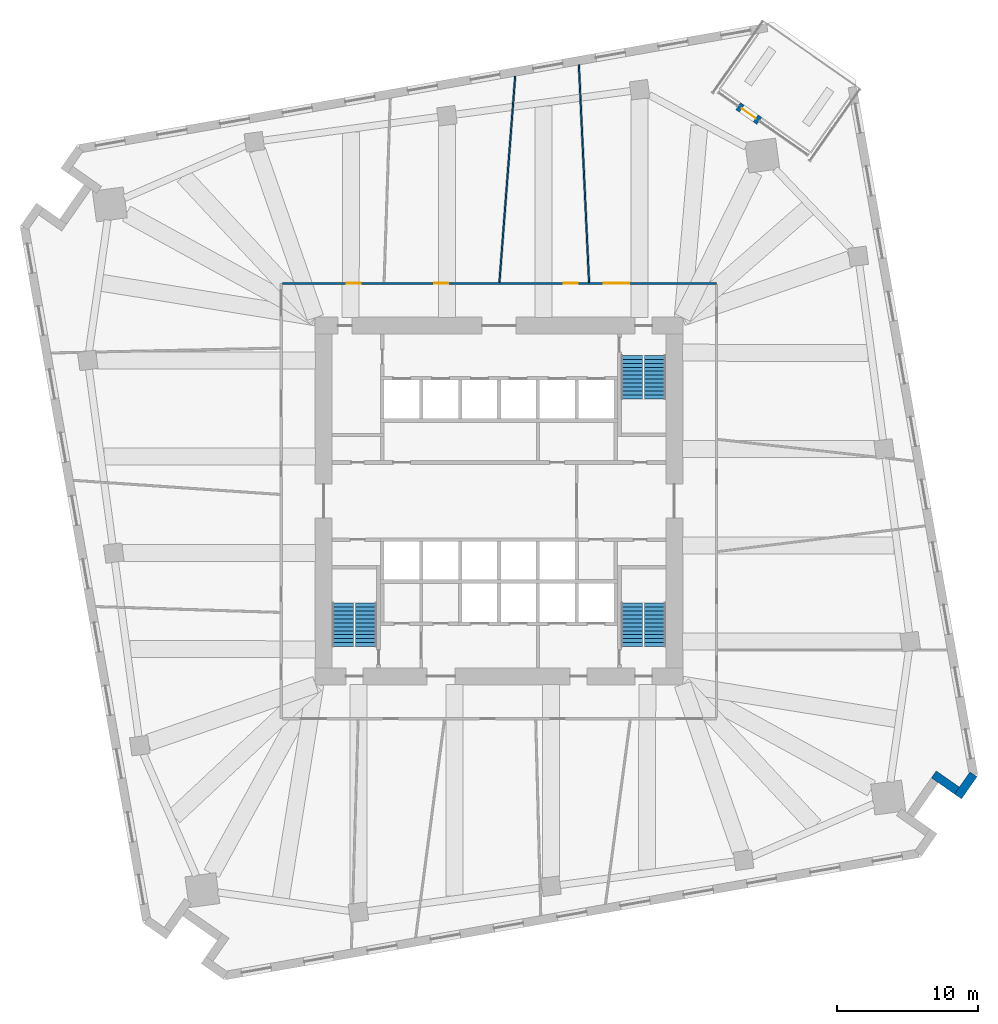
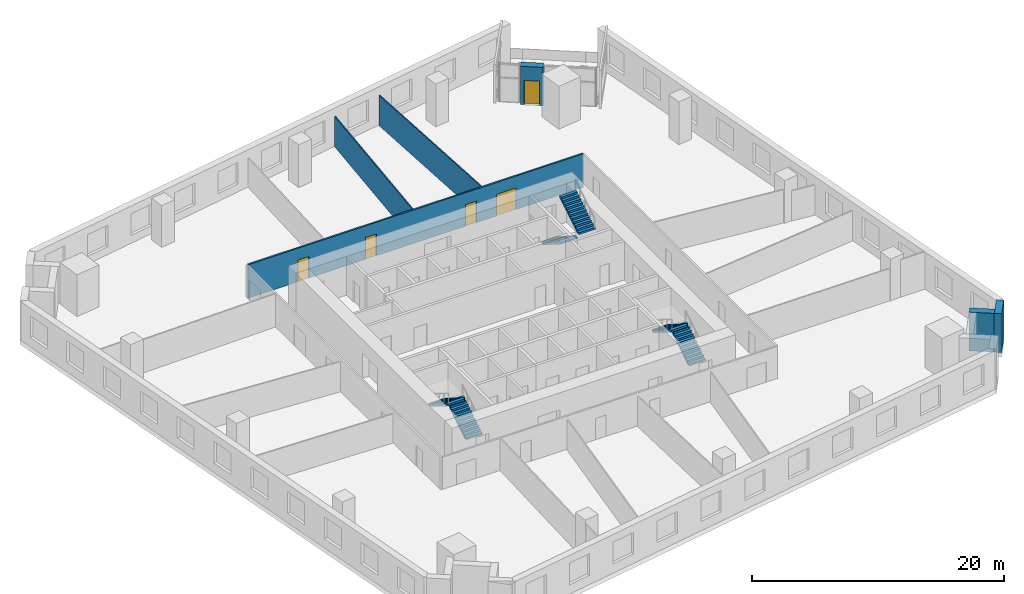
# One storey, part 8 of 10: 6 stair flights, 6 walls, 5 doors, 5 openings, 3 elements without a shape of their own.
"""IFC4 building model written with IfcOpenShell, lengths in metres."""

from ifc_helpers import new_model, si_unit, direction, frame, frame_2d, origin, place, context, subcontext, project, spatial, polyline, rectangle, outline, extrude, material, layer, layer_set, type_object, element, fill, aggregate, save


model = new_model("IFC4")

# Units and contexts
model_context = context("Model", 3, precision=1e-05, world=origin(), true_north=direction((0.0, 1.0)))
body_context = subcontext(model_context, "Body", "Model", "MODEL_VIEW")
ifc_project = project(units=[si_unit("LENGTHUNIT", "METRE"), si_unit("AREAUNIT", "SQUARE_METRE"), si_unit("VOLUMEUNIT", "CUBIC_METRE"), si_unit("PLANEANGLEUNIT", "RADIAN"), si_unit("MASSUNIT", "GRAM", prefix="KILO")], contexts=[model_context])

# Site, building, storey
site_placement = place(None, origin())
site = spatial("IfcSite", under=ifc_project, at=site_placement, CompositionType="ELEMENT")
building_placement = place(site_placement, origin())
building = spatial("IfcBuilding", under=site, at=building_placement, Name="Dilmun Exchange Tower", CompositionType="ELEMENT")
storey_placement = place(building_placement, frame((0.0, 0.0, 63.89990234375)))
storey = spatial("IfcBuildingStorey", under=building, at=storey_placement, Name="L14", CompositionType="ELEMENT", Elevation=63.89990234375)

# Wall, openings, doors
ifc_material_1 = material(Name="Corridor wall 150")
ifc_layer_1 = layer(ifc_material_1, 0.14990234375)
ifc_layer_set_1 = layer_set([ifc_layer_1], Name="Corridor wall 150")
wall_type_1 = type_object("IfcWallType", Name="Corridor wall 150", PredefinedType="PARTITIONING", material=ifc_layer_set_1)
wall_1_placement = place(storey_placement, frame((-15.324951171875, 15.39990234375, 0.0), z_axis=(0.0, 0.0, 1.0), x_axis=(1.0, 0.0, 0.0)))
wall_1 = element("IfcWall", 1, at=wall_1_placement, inside=storey, type_object=wall_type_1, Name="Corridor wall", PredefinedType="PARTITIONING", context=body_context, shape_type="SweptSolid", body=[
    extrude(rectangle(XDim=30.724853515625, YDim=0.14990234375, at=frame_2d((15.3623046875, 0.0))), origin(), (0.0, 0.0, 1.0), 3.25),
])
opening_1_placement = place(wall_1_placement, frame((4.550048828125, 0.0, 0.0)))
opening_1 = element("IfcOpeningElement", 2, at=opening_1_placement, cuts=wall_1, Name="Opening TF13-D05", PredefinedType="OPENING", context=body_context, shape_type="SweptSolid", body=[
    extrude(rectangle(XDim=1.0, YDim=2.10009765625, at=frame_2d((0.5, 1.050048828125))), frame((0.0, 0.0849609375, 0.0), z_axis=(0.0, -1.0, 0.0), x_axis=(1.0, 0.0, 0.0)), (0.0, 0.0, 1.0), 0.169921875),
])
opening_2_placement = place(wall_1_placement, frame((10.743896484375, 0.0, 0.0)))
opening_2 = element("IfcOpeningElement", 3, at=opening_2_placement, cuts=wall_1, Name="Opening TF13-D09", PredefinedType="OPENING", context=body_context, shape_type="SweptSolid", body=[
    extrude(rectangle(XDim=1.0, YDim=2.10009765625, at=frame_2d((0.5, 1.050048828125))), frame((0.0, 0.0849609375, 0.0), z_axis=(0.0, -1.0, 0.0), x_axis=(1.0, 0.0, 0.0)), (0.0, 0.0, 1.0), 0.169921875),
])
opening_3_placement = place(wall_1_placement, frame((19.89990234375, 0.0, 0.0)))
opening_3 = element("IfcOpeningElement", 4, at=opening_3_placement, cuts=wall_1, Name="Opening TF13-D11", PredefinedType="OPENING", context=body_context, shape_type="SweptSolid", body=[
    extrude(rectangle(XDim=1.0, YDim=2.10009765625, at=frame_2d((0.5, 1.050048828125))), frame((0.0, 0.0849609375, 0.0), z_axis=(0.0, -1.0, 0.0), x_axis=(1.0, 0.0, 0.0)), (0.0, 0.0, 1.0), 0.169921875),
])
opening_4_placement = place(wall_1_placement, frame((22.7470703125, 0.0, 0.0)))
opening_4 = element("IfcOpeningElement", 5, at=opening_4_placement, cuts=wall_1, Name="Opening TF13-D13", PredefinedType="OPENING", context=body_context, shape_type="SweptSolid", body=[
    extrude(rectangle(XDim=1.800048828125, YDim=2.10009765625, at=frame_2d((0.89990234375, 1.050048828125))), frame((0.0, 0.0849609375, 0.0), z_axis=(0.0, -1.0, 0.0), x_axis=(1.0, 0.0, 0.0)), (0.0, 0.0, 1.0), 0.169921875),
])
ifc_material_2 = material(Name="Fire door 1000 x 2100")
door_type_1 = type_object("IfcDoorType", Name="Fire door 1000 x 2100", OperationType="NOTDEFINED", PredefinedType="DOOR", material=ifc_material_2)
door_1_placement = place(opening_1_placement, origin())
door_1 = element("IfcDoor", 6, at=door_1_placement, inside=storey, type_object=door_type_1, Name="Door TF13-D05", OperationType="SINGLE_SWING_LEFT", OverallHeight=2.10009765625, OverallWidth=1.0, PredefinedType="DOOR", context=body_context, shape_type="SweptSolid", body=[
    extrude(rectangle(XDim=1.0, YDim=2.10009765625, at=frame_2d((0.5, 1.050048828125))), frame((0.0, 0.02490234375, 0.0), z_axis=(0.0, -1.0, 0.0), x_axis=(1.0, 0.0, 0.0)), (0.0, 0.0, 1.0), 0.050048828125),
])
fill(opening_1, door_1)
door_2_placement = place(opening_2_placement, origin())
door_2 = element("IfcDoor", 7, at=door_2_placement, inside=storey, type_object=door_type_1, Name="Door TF13-D09", OperationType="SINGLE_SWING_RIGHT", OverallHeight=2.10009765625, OverallWidth=1.0, PredefinedType="DOOR", context=body_context, shape_type="SweptSolid", body=[
    extrude(rectangle(XDim=1.0, YDim=2.10009765625, at=frame_2d((0.5, 1.050048828125))), frame((0.0, 0.02490234375, 0.0), z_axis=(0.0, -1.0, 0.0), x_axis=(1.0, 0.0, 0.0)), (0.0, 0.0, 1.0), 0.050048828125),
])
fill(opening_2, door_2)
door_3_placement = place(opening_3_placement, origin())
door_3 = element("IfcDoor", 8, at=door_3_placement, inside=storey, type_object=door_type_1, Name="Door TF13-D11", OperationType="SINGLE_SWING_LEFT", OverallHeight=2.10009765625, OverallWidth=1.0, PredefinedType="DOOR", context=body_context, shape_type="SweptSolid", body=[
    extrude(rectangle(XDim=1.0, YDim=2.10009765625, at=frame_2d((0.5, 1.050048828125))), frame((0.0, 0.02490234375, 0.0), z_axis=(0.0, -1.0, 0.0), x_axis=(1.0, 0.0, 0.0)), (0.0, 0.0, 1.0), 0.050048828125),
])
fill(opening_3, door_3)
ifc_material_3 = material(Name="Fire door pair 1800 x 2100")
door_type_2 = type_object("IfcDoorType", Name="Fire door pair 1800 x 2100", OperationType="NOTDEFINED", PredefinedType="DOOR", material=ifc_material_3)
door_4_placement = place(opening_4_placement, origin())
door_4 = element("IfcDoor", 9, at=door_4_placement, inside=storey, type_object=door_type_2, Name="Door TF13-D13", OperationType="DOUBLE_DOOR_SINGLE_SWING", OverallHeight=2.10009765625, OverallWidth=1.800048828125, PredefinedType="DOOR", context=body_context, shape_type="SweptSolid", body=[
    extrude(rectangle(XDim=1.800048828125, YDim=2.10009765625, at=frame_2d((0.89990234375, 1.050048828125))), frame((0.0, 0.02490234375, 0.0), z_axis=(0.0, -1.0, 0.0), x_axis=(1.0, 0.0, 0.0)), (0.0, 0.0, 1.0), 0.050048828125),
])
fill(opening_4, door_4)

# Walls
ifc_material_4 = material(Name="Partition 100")
ifc_layer_2 = layer(ifc_material_4, 0.10009765625)
ifc_layer_set_2 = layer_set([ifc_layer_2], Name="Partition 100")
wall_type_2 = type_object("IfcWallType", Name="Partition 100", PredefinedType="PARTITIONING", material=ifc_layer_set_2)
wall_2_placement = place(storey_placement, frame((0.031005859375, 15.478759765625, 0.0), z_axis=(0.0, 0.0, 1.0), x_axis=(0.076195813728, 0.997092873292, 0.0)))
element("IfcWall", 10, at=wall_2_placement, inside=storey, type_object=wall_type_2, Name="Partition", PredefinedType="PARTITIONING", context=body_context, shape_type="SweptSolid", body=[
    extrude(rectangle(XDim=14.6171875, YDim=0.10009765625, at=frame_2d((7.30859375, 0.0))), origin(), (0.0, 0.0, 1.0), 2.9501953125),
])
wall_3_placement = place(storey_placement, frame((5.6513671875, 30.847900390625, 0.0), z_axis=(0.0, 0.0, 1.0), x_axis=(0.046726123589, -0.998907738169, 0.0)))
element("IfcWall", 11, at=wall_3_placement, inside=storey, type_object=wall_type_2, Name="Partition", PredefinedType="PARTITIONING", context=body_context, shape_type="SweptSolid", body=[
    extrude(rectangle(XDim=15.387451171875, YDim=0.10009765625, at=frame_2d((7.69384765625, 0.0))), origin(), (0.0, 0.0, 1.0), 2.9501953125),
])
ifc_material_5 = material(Name="Precast concrete C50/60", Category="concrete")
ifc_layer_3 = layer(ifc_material_5, 0.60009765625)
ifc_layer_set_3 = layer_set([ifc_layer_3], Name="Precast concrete C50/60")
wall_type_3 = type_object("IfcWallType", Name="Precast stone-clad wall 600", PredefinedType="STANDARD", material=ifc_layer_set_3)
wall_4_placement = place(storey_placement, frame((30.76025390625, -19.341064453125, 0.0), z_axis=(0.0, 0.0, 1.0), x_axis=(0.819117203636, -0.573626190743, 0.0)))
element("IfcWall", 12, at=wall_4_placement, inside=storey, type_object=wall_type_3, Name="Facade wall L14-19", PredefinedType="STANDARD", context=body_context, shape_type="SweptSolid", body=[
    extrude(rectangle(XDim=2.0, YDim=0.60009765625, at=frame_2d((1.0, 0.0))), origin(), (0.0, 0.0, 1.0), 3.75),
])
wall_5_placement = place(storey_placement, frame((32.47216796875, -20.906005859375, 0.0), z_axis=(0.0, 0.0, 1.0), x_axis=(0.573599518014, 0.81913588185, 0.0)))
element("IfcWall", 13, at=wall_5_placement, inside=storey, type_object=wall_type_3, Name="Facade wall L14-20", PredefinedType="STANDARD", context=body_context, shape_type="SweptSolid", body=[
    extrude(rectangle(XDim=1.9111328125, YDim=0.60009765625, at=frame_2d((0.95556640625, 0.0))), origin(), (0.0, 0.0, 1.0), 3.75),
])

# Wall, opening, door
wall_6_placement = place(storey_placement, frame((18.40673828125, 26.897705078125, 0.0), z_axis=(0.0, 0.0, 1.0), x_axis=(-0.819168199548, 0.573553363558, 0.0)))
wall_6 = element("IfcWall", 14, at=wall_6_placement, inside=storey, type_object=wall_type_3, Name="Facade wall L14-01-D", PredefinedType="STANDARD", context=body_context, shape_type="SweptSolid", body=[
    extrude(rectangle(XDim=1.800048828125, YDim=0.60009765625, at=frame_2d((0.89990234375, 0.0))), origin(), (0.0, 0.0, 1.0), 3.75),
])
opening_5_placement = place(wall_6_placement, frame((0.300048828125, 0.0, 0.0)))
opening_5 = element("IfcOpeningElement", 15, at=opening_5_placement, cuts=wall_6, Name="Opening GD-1", PredefinedType="OPENING", context=body_context, shape_type="SweptSolid", body=[
    extrude(rectangle(XDim=1.199951171875, YDim=2.39990234375, at=frame_2d((0.60009765625, 1.199951171875))), frame((0.0, 0.31005859375, 0.0), z_axis=(0.0, -1.0, 0.0), x_axis=(1.0, 0.0, 0.0)), (0.0, 0.0, 1.0), 0.6201171875),
])
ifc_material_6 = material(Name="Clear low-emissivity glass in aluminium frame", Category="aluminium")
door_type_3 = type_object("IfcDoorType", Name="Glazed garden door 1200 x 2400", OperationType="SINGLE_SWING_LEFT", PredefinedType="DOOR", material=ifc_material_6)
door_5_placement = place(opening_5_placement, origin())
door_5 = element("IfcDoor", 16, at=door_5_placement, inside=storey, type_object=door_type_3, Name="Garden terrace door", OperationType="SINGLE_SWING_LEFT", OverallHeight=2.39990234375, OverallWidth=1.199951171875, PredefinedType="DOOR", context=body_context, shape_type="SweptSolid", body=[
    extrude(rectangle(XDim=1.199951171875, YDim=2.39990234375, at=frame_2d((0.60009765625, 1.199951171875))), frame((0.0, 0.02490234375, 0.0), z_axis=(0.0, -1.0, 0.0), x_axis=(1.0, 0.0, 0.0)), (0.0, 0.0, 1.0), 0.050048828125),
])
fill(opening_5, door_5)

# Stair, stair flights
ifc_material_7 = material(Name="Concrete C40/50", Category="concrete")
stair_type = type_object("IfcStairType", Name="Exit stair 1500 half-turn", PredefinedType="HALF_TURN_STAIR", material=ifc_material_7)
stair_1_placement = place(storey_placement, origin())
stair_1 = element("IfcStair", 17, at=stair_1_placement, inside=storey, type_object=stair_type, Name="L14 Protected exit stair ST1", PredefinedType="HALF_TURN_STAIR")
stair_flight_type = type_object("IfcStairFlightType", Name="Exit stair flight 1500", PredefinedType="STRAIGHT", material=ifc_material_7)
stair_flight_1_placement = place(storey_placement, frame((9.39990234375, 10.300048828125, 0.0), z_axis=(0.0, 0.0, 1.0), x_axis=(0.0, -1.0, 0.0)))
stair_flight_1 = element("IfcStairFlight", 18, at=stair_flight_1_placement, type_object=stair_flight_type, Name="ST1 flight 1", NumberOfRisers=12, NumberOfTreads=11, PredefinedType="STRAIGHT", RiserHeight=0.175, TreadLength=0.28, context=body_context, shape_type="SweptSolid", body=[
    extrude(outline(polyline([(0.0, 0.0), (0.0, 0.175048828125), (0.280029296875, 0.175048828125), (0.280029296875, 0.35009765625), (0.56005859375, 0.35009765625), (0.56005859375, 0.52490234375), (0.840087890625, 0.52490234375), (0.840087890625, 0.699951171875), (1.1201171875, 0.699951171875), (1.1201171875, 0.875), (1.39990234375, 0.875), (1.39990234375, 1.050048828125), (1.679931640625, 1.050048828125), (1.679931640625, 1.22509765625), (1.9599609375, 1.22509765625), (1.9599609375, 1.39990234375), (2.239990234375, 1.39990234375), (2.239990234375, 1.574951171875), (2.52001953125, 1.574951171875), (2.52001953125, 1.75), (2.800048828125, 1.75), (2.800048828125, 1.925048828125), (3.080078125, 1.925048828125), (3.080078125, 2.10009765625), (3.080078125, 1.748291015625), (0.28271484375, 0.0), (0.0, 0.0)])), frame((0.0, 0.75, 0.0), z_axis=(0.0, -1.0, 0.0), x_axis=(1.0, 0.0, 0.0)), (0.0, 0.0, 1.0), 1.5),
])
stair_flight_2_placement = place(storey_placement, frame((11.050048828125, 7.219970703125, 2.10009765625), z_axis=(0.0, 0.0, 1.0), x_axis=(0.0, 1.0, 0.0)))
stair_flight_2 = element("IfcStairFlight", 19, at=stair_flight_2_placement, type_object=stair_flight_type, Name="ST1 flight 2", NumberOfRisers=12, NumberOfTreads=11, PredefinedType="STRAIGHT", RiserHeight=0.175, TreadLength=0.28, context=body_context, shape_type="SweptSolid", body=[
    extrude(outline(polyline([(0.0, 0.0), (0.0, 0.175048828125), (0.280029296875, 0.175048828125), (0.280029296875, 0.35009765625), (0.56005859375, 0.35009765625), (0.56005859375, 0.52490234375), (0.840087890625, 0.52490234375), (0.840087890625, 0.699951171875), (1.1201171875, 0.699951171875), (1.1201171875, 0.875), (1.39990234375, 0.875), (1.39990234375, 1.050048828125), (1.679931640625, 1.050048828125), (1.679931640625, 1.22509765625), (1.9599609375, 1.22509765625), (1.9599609375, 1.39990234375), (2.239990234375, 1.39990234375), (2.239990234375, 1.574951171875), (2.52001953125, 1.574951171875), (2.52001953125, 1.75), (2.800048828125, 1.75), (2.800048828125, 1.925048828125), (3.080078125, 1.925048828125), (3.080078125, 2.10009765625), (3.080078125, 1.748291015625), (0.28271484375, 0.0), (0.0, 0.0)])), frame((0.0, 0.75, 0.0), z_axis=(0.0, -1.0, 0.0), x_axis=(1.0, 0.0, 0.0)), (0.0, 0.0, 1.0), 1.5),
])
aggregate(stair_1, [stair_flight_1, stair_flight_2])

stair_2_placement = place(storey_placement, origin())
stair_2 = element("IfcStair", 20, at=stair_2_placement, inside=storey, type_object=stair_type, Name="L14 Protected exit stair ST2", PredefinedType="HALF_TURN_STAIR")
stair_flight_3_placement = place(storey_placement, frame((-9.39990234375, -10.300048828125, 0.0), z_axis=(0.0, 0.0, 1.0), x_axis=(0.0, 1.0, 0.0)))
stair_flight_3 = element("IfcStairFlight", 21, at=stair_flight_3_placement, type_object=stair_flight_type, Name="ST2 flight 1", NumberOfRisers=12, NumberOfTreads=11, PredefinedType="STRAIGHT", RiserHeight=0.175, TreadLength=0.28, context=body_context, shape_type="SweptSolid", body=[
    extrude(outline(polyline([(0.0, 0.0), (0.0, 0.175048828125), (0.280029296875, 0.175048828125), (0.280029296875, 0.35009765625), (0.56005859375, 0.35009765625), (0.56005859375, 0.52490234375), (0.840087890625, 0.52490234375), (0.840087890625, 0.699951171875), (1.1201171875, 0.699951171875), (1.1201171875, 0.875), (1.39990234375, 0.875), (1.39990234375, 1.050048828125), (1.679931640625, 1.050048828125), (1.679931640625, 1.22509765625), (1.9599609375, 1.22509765625), (1.9599609375, 1.39990234375), (2.239990234375, 1.39990234375), (2.239990234375, 1.574951171875), (2.52001953125, 1.574951171875), (2.52001953125, 1.75), (2.800048828125, 1.75), (2.800048828125, 1.925048828125), (3.080078125, 1.925048828125), (3.080078125, 2.10009765625), (3.080078125, 1.748291015625), (0.28271484375, 0.0), (0.0, 0.0)])), frame((0.0, 0.75, 0.0), z_axis=(0.0, -1.0, 0.0), x_axis=(1.0, 0.0, 0.0)), (0.0, 0.0, 1.0), 1.5),
])
stair_flight_4_placement = place(storey_placement, frame((-11.050048828125, -7.219970703125, 2.10009765625), z_axis=(0.0, 0.0, 1.0), x_axis=(0.0, -1.0, 0.0)))
stair_flight_4 = element("IfcStairFlight", 22, at=stair_flight_4_placement, type_object=stair_flight_type, Name="ST2 flight 2", NumberOfRisers=12, NumberOfTreads=11, PredefinedType="STRAIGHT", RiserHeight=0.175, TreadLength=0.28, context=body_context, shape_type="SweptSolid", body=[
    extrude(outline(polyline([(0.0, 0.0), (0.0, 0.175048828125), (0.280029296875, 0.175048828125), (0.280029296875, 0.35009765625), (0.56005859375, 0.35009765625), (0.56005859375, 0.52490234375), (0.840087890625, 0.52490234375), (0.840087890625, 0.699951171875), (1.1201171875, 0.699951171875), (1.1201171875, 0.875), (1.39990234375, 0.875), (1.39990234375, 1.050048828125), (1.679931640625, 1.050048828125), (1.679931640625, 1.22509765625), (1.9599609375, 1.22509765625), (1.9599609375, 1.39990234375), (2.239990234375, 1.39990234375), (2.239990234375, 1.574951171875), (2.52001953125, 1.574951171875), (2.52001953125, 1.75), (2.800048828125, 1.75), (2.800048828125, 1.925048828125), (3.080078125, 1.925048828125), (3.080078125, 2.10009765625), (3.080078125, 1.748291015625), (0.28271484375, 0.0), (0.0, 0.0)])), frame((0.0, 0.75, 0.0), z_axis=(0.0, -1.0, 0.0), x_axis=(1.0, 0.0, 0.0)), (0.0, 0.0, 1.0), 1.5),
])
aggregate(stair_2, [stair_flight_3, stair_flight_4])

stair_3_placement = place(storey_placement, origin())
stair_3 = element("IfcStair", 23, at=stair_3_placement, inside=storey, type_object=stair_type, Name="L14 Protected exit stair ST3", PredefinedType="HALF_TURN_STAIR")
stair_flight_5_placement = place(storey_placement, frame((11.050048828125, -10.300048828125, 0.0), z_axis=(0.0, 0.0, 1.0), x_axis=(0.0, 1.0, 0.0)))
stair_flight_5 = element("IfcStairFlight", 24, at=stair_flight_5_placement, type_object=stair_flight_type, Name="ST3 flight 1", NumberOfRisers=12, NumberOfTreads=11, PredefinedType="STRAIGHT", RiserHeight=0.175, TreadLength=0.28, context=body_context, shape_type="SweptSolid", body=[
    extrude(outline(polyline([(0.0, 0.0), (0.0, 0.175048828125), (0.280029296875, 0.175048828125), (0.280029296875, 0.35009765625), (0.56005859375, 0.35009765625), (0.56005859375, 0.52490234375), (0.840087890625, 0.52490234375), (0.840087890625, 0.699951171875), (1.1201171875, 0.699951171875), (1.1201171875, 0.875), (1.39990234375, 0.875), (1.39990234375, 1.050048828125), (1.679931640625, 1.050048828125), (1.679931640625, 1.22509765625), (1.9599609375, 1.22509765625), (1.9599609375, 1.39990234375), (2.239990234375, 1.39990234375), (2.239990234375, 1.574951171875), (2.52001953125, 1.574951171875), (2.52001953125, 1.75), (2.800048828125, 1.75), (2.800048828125, 1.925048828125), (3.080078125, 1.925048828125), (3.080078125, 2.10009765625), (3.080078125, 1.748291015625), (0.28271484375, 0.0), (0.0, 0.0)])), frame((0.0, 0.75, 0.0), z_axis=(0.0, -1.0, 0.0), x_axis=(1.0, 0.0, 0.0)), (0.0, 0.0, 1.0), 1.5),
])
stair_flight_6_placement = place(storey_placement, frame((9.39990234375, -7.219970703125, 2.10009765625), z_axis=(0.0, 0.0, 1.0), x_axis=(0.0, -1.0, 0.0)))
stair_flight_6 = element("IfcStairFlight", 25, at=stair_flight_6_placement, type_object=stair_flight_type, Name="ST3 flight 2", NumberOfRisers=12, NumberOfTreads=11, PredefinedType="STRAIGHT", RiserHeight=0.175, TreadLength=0.28, context=body_context, shape_type="SweptSolid", body=[
    extrude(outline(polyline([(0.0, 0.0), (0.0, 0.175048828125), (0.280029296875, 0.175048828125), (0.280029296875, 0.35009765625), (0.56005859375, 0.35009765625), (0.56005859375, 0.52490234375), (0.840087890625, 0.52490234375), (0.840087890625, 0.699951171875), (1.1201171875, 0.699951171875), (1.1201171875, 0.875), (1.39990234375, 0.875), (1.39990234375, 1.050048828125), (1.679931640625, 1.050048828125), (1.679931640625, 1.22509765625), (1.9599609375, 1.22509765625), (1.9599609375, 1.39990234375), (2.239990234375, 1.39990234375), (2.239990234375, 1.574951171875), (2.52001953125, 1.574951171875), (2.52001953125, 1.75), (2.800048828125, 1.75), (2.800048828125, 1.925048828125), (3.080078125, 1.925048828125), (3.080078125, 2.10009765625), (3.080078125, 1.748291015625), (0.28271484375, 0.0), (0.0, 0.0)])), frame((0.0, 0.75, 0.0), z_axis=(0.0, -1.0, 0.0), x_axis=(1.0, 0.0, 0.0)), (0.0, 0.0, 1.0), 1.5),
])
aggregate(stair_3, [stair_flight_5, stair_flight_6])

save(model, "model.ifc")
